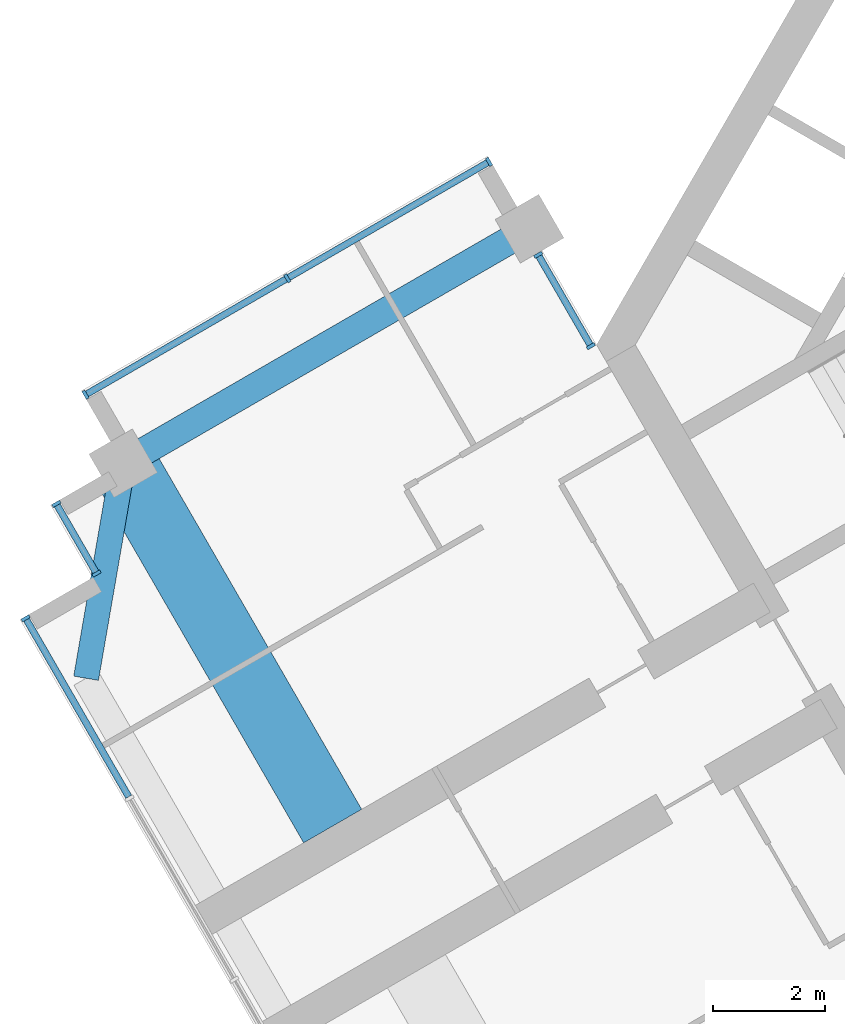
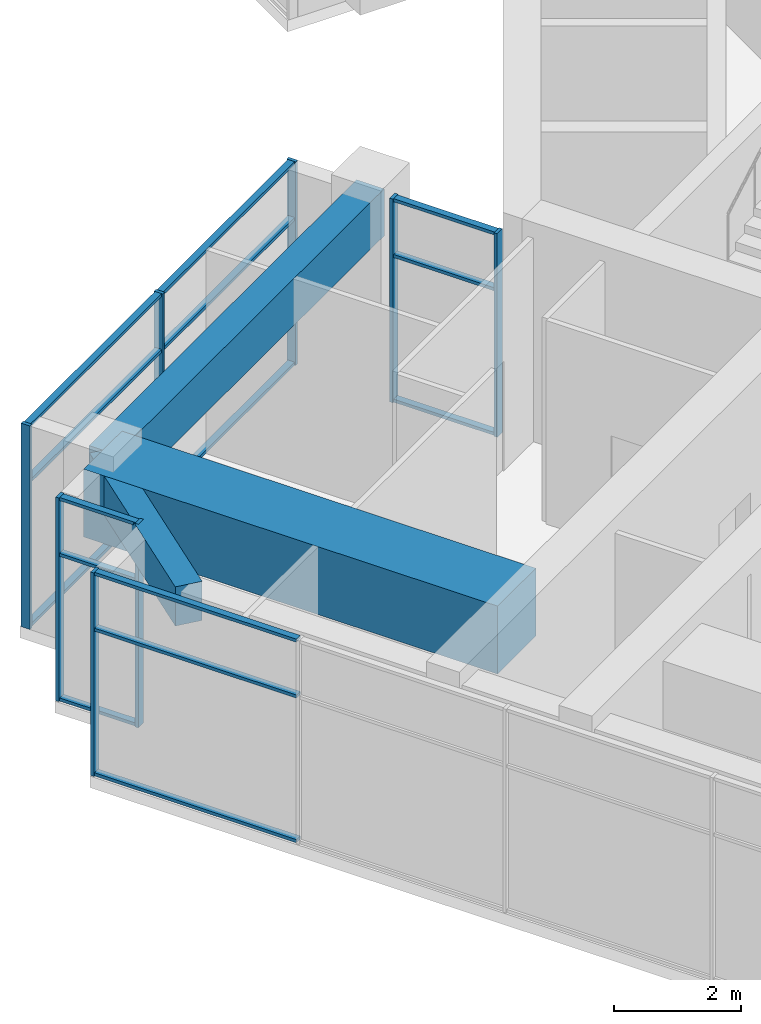
# One storey, part 3 of 14: 23 members, 3 beams, 4 elements without a shape of their own.
"""IFC4 building model written with IfcOpenShell, lengths in metres."""

from ifc_helpers import new_model, si_unit, direction, frame, origin, origin_2d, place, context, subcontext, project, spatial, rectangle, extrude, material, material_profile, profile_set, type_object, element, aggregate, save


model = new_model("IFC4")

# Units and contexts
model_context = context("Model", 3, precision=1e-05, world=origin(), true_north=direction((0.0, 1.0)))
body_context = subcontext(model_context, "Body", "Model", "MODEL_VIEW")
ifc_project = project(units=[si_unit("LENGTHUNIT", "METRE"), si_unit("AREAUNIT", "SQUARE_METRE"), si_unit("VOLUMEUNIT", "CUBIC_METRE"), si_unit("PLANEANGLEUNIT", "RADIAN"), si_unit("MASSUNIT", "GRAM", prefix="KILO")], contexts=[model_context])

# Site, building, storey
site_placement = place(None, origin())
site = spatial("IfcSite", under=ifc_project, at=site_placement, CompositionType="ELEMENT")
building_placement = place(site_placement, origin())
building = spatial("IfcBuilding", under=site, at=building_placement, Name="Impinga Residences", CompositionType="ELEMENT")
storey_placement = place(building_placement, frame((0.0, 0.0, 291.550048828125)))
storey = spatial("IfcBuildingStorey", under=building, at=storey_placement, Name="L73", CompositionType="ELEMENT", Elevation=291.550048828125)

# Beams
ifc_material_1 = material(Name="Concrete C60/75", Category="concrete")
ifc_material_profile_1 = material_profile(ifc_material_1, rectangle(XDim=0.449951171875, YDim=0.75, at=origin_2d()), Name="RC 450x750")
ifc_profile_set_1 = profile_set([ifc_material_profile_1], Name="Concrete C60/75")
beam_type_1 = type_object("IfcBeamType", Name="CB1 450x750 wing end cantilever beam", PredefinedType="BEAM", material=ifc_profile_set_1)
beam_1_placement = place(storey_placement, frame((-21.674560546875, -2.12158203125, 3.52490234375), z_axis=(-0.170296298948, -0.985392901621, 0.0), x_axis=(0.985392901621, -0.170296298948, 0.0)))
element("IfcBeam", 1, at=beam_1_placement, inside=storey, type_object=beam_type_1, Name="Beam CB1 WE W2-WX level L74", PredefinedType="BEAM", context=body_context, shape_type="SweptSolid", body=[
    extrude(rectangle(XDim=0.449951171875, YDim=0.75, at=origin_2d()), origin(), (0.0, 0.0, 1.0), 3.9052734375),
])
ifc_material_profile_2 = material_profile(ifc_material_1, rectangle(XDim=1.199951171875, YDim=1.300048828125, at=origin_2d()), Name="RC 1200x1300")
ifc_profile_set_2 = profile_set([ifc_material_profile_2], Name="Concrete C60/75")
beam_type_2 = type_object("IfcBeamType", Name="CG2 1200x1300 cross girder on a wing bay line", PredefinedType="BEAM", material=ifc_profile_set_2)
beam_2_placement = place(storey_placement, frame((-17.924560546875, -8.61669921875, 3.25), z_axis=(-0.500004234368, 0.866022959057, 0.0), x_axis=(-0.866022959057, -0.500004234368, 0.0)))
element("IfcBeam", 2, at=beam_2_placement, inside=storey, type_object=beam_type_2, Name="Beam CG2 W2 WC/WF level L74", PredefinedType="BEAM", context=body_context, shape_type="SweptSolid", body=[
    extrude(rectangle(XDim=1.199951171875, YDim=1.300048828125, at=origin_2d()), origin(), (0.0, 0.0, 1.0), 7.5),
])

# Curtain wall, member
ifc_material_2 = material(Name="Aluminium stick curtain wall", Category="aluminium")
curtain_wall_type = type_object("IfcCurtainWallType", Name="CW3 penthouse curtain wall", PredefinedType="USERDEFINED", material=ifc_material_2)
curtain_wall_1_placement = place(storey_placement, origin())
curtain_wall_1 = element("IfcCurtainWall", 3, at=curtain_wall_1_placement, inside=storey, type_object=curtain_wall_type, Name="Curtain wall CW3 L73", ObjectType="STICK CURTAIN WALL", PredefinedType="USERDEFINED")
ifc_material_3 = material(Name="Aluminium mullion", Category="aluminium")
ifc_material_profile_3 = material_profile(ifc_material_3, rectangle(XDim=0.06005859375, YDim=0.159912109375, at=origin_2d()), Name="60x160 mullion")
ifc_profile_set_3 = profile_set([ifc_material_profile_3], Name="Aluminium mullion")
member_type_1 = type_object("IfcMemberType", Name="CW3-M mullion 60x160", PredefinedType="MULLION", material=ifc_profile_set_3)
member_1_placement = place(storey_placement, frame((-23.421142578125, -4.896484375, 0.0), z_axis=(0.0, 0.0, 1.0), x_axis=(-0.500000001632, 0.866025402842, 0.0)))
member_1 = element("IfcMember", 4, at=member_1_placement, type_object=member_type_1, Name="CW3 mullion 5", PredefinedType="MULLION", context=body_context, shape_type="SweptSolid", body=[
    extrude(rectangle(XDim=0.06005859375, YDim=0.159912109375, at=origin_2d()), origin(), (0.0, 0.0, 1.0), 3.89990234375),
])

# Curtain wall, members
curtain_wall_2_placement = place(storey_placement, origin())
curtain_wall_2 = element("IfcCurtainWall", 5, at=curtain_wall_2_placement, inside=storey, type_object=curtain_wall_type, Name="Curtain wall CW3 L73", ObjectType="STICK CURTAIN WALL", PredefinedType="USERDEFINED")
member_2_placement = place(storey_placement, frame((-22.152099609375, -4.094482421875, 0.0), z_axis=(0.0, 0.0, 1.0), x_axis=(-0.500000030502, 0.866025386174, 0.0)))
member_2 = element("IfcMember", 6, at=member_2_placement, type_object=member_type_1, Name="CW3 mullion 1", PredefinedType="MULLION", context=body_context, shape_type="SweptSolid", body=[
    extrude(rectangle(XDim=0.06005859375, YDim=0.159912109375, at=origin_2d()), origin(), (0.0, 0.0, 1.0), 3.89990234375),
])
member_3_placement = place(storey_placement, frame((-22.8720703125, -2.847412109375, 0.0), z_axis=(0.0, 0.0, 1.0), x_axis=(-0.500000030502, 0.866025386174, 0.0)))
member_3 = element("IfcMember", 7, at=member_3_placement, type_object=member_type_1, Name="CW3 mullion 2", PredefinedType="MULLION", context=body_context, shape_type="SweptSolid", body=[
    extrude(rectangle(XDim=0.06005859375, YDim=0.159912109375, at=origin_2d()), origin(), (0.0, 0.0, 1.0), 3.89990234375),
])

curtain_wall_3_placement = place(storey_placement, origin())
curtain_wall_3 = element("IfcCurtainWall", 8, at=curtain_wall_3_placement, inside=storey, type_object=curtain_wall_type, Name="Curtain wall CW3 L73", ObjectType="STICK CURTAIN WALL", PredefinedType="USERDEFINED")
member_4_placement = place(storey_placement, frame((-22.3486328125, -0.89404296875, 0.0), z_axis=(0.0, 0.0, 1.0), x_axis=(0.866025392126, 0.500000020194, 0.0)))
member_4 = element("IfcMember", 9, at=member_4_placement, type_object=member_type_1, Name="CW3 mullion 1", PredefinedType="MULLION", context=body_context, shape_type="SweptSolid", body=[
    extrude(rectangle(XDim=0.06005859375, YDim=0.159912109375, at=origin_2d()), origin(), (0.0, 0.0, 1.0), 3.89990234375),
])
member_5_placement = place(storey_placement, frame((-18.7373046875, 1.19091796875, 0.0), z_axis=(0.0, 0.0, 1.0), x_axis=(0.866025392126, 0.500000020194, 0.0)))
member_5 = element("IfcMember", 10, at=member_5_placement, type_object=member_type_1, Name="CW3 mullion 2", PredefinedType="MULLION", context=body_context, shape_type="SweptSolid", body=[
    extrude(rectangle(XDim=0.06005859375, YDim=0.159912109375, at=origin_2d()), origin(), (0.0, 0.0, 1.0), 3.89990234375),
])
member_6_placement = place(storey_placement, frame((-15.1259765625, 3.27587890625, 0.0), z_axis=(0.0, 0.0, 1.0), x_axis=(0.866025392126, 0.500000020194, 0.0)))
member_6 = element("IfcMember", 11, at=member_6_placement, type_object=member_type_1, Name="CW3 mullion 3", PredefinedType="MULLION", context=body_context, shape_type="SweptSolid", body=[
    extrude(rectangle(XDim=0.06005859375, YDim=0.159912109375, at=origin_2d()), origin(), (0.0, 0.0, 1.0), 3.89990234375),
])

curtain_wall_4_placement = place(storey_placement, origin())
curtain_wall_4 = element("IfcCurtainWall", 12, at=curtain_wall_4_placement, inside=storey, type_object=curtain_wall_type, Name="Curtain wall CW3 L73", ObjectType="STICK CURTAIN WALL", PredefinedType="USERDEFINED")
member_7_placement = place(storey_placement, frame((-14.2451171875, 1.610107421875, 0.0), z_axis=(0.0, 0.0, 1.0), x_axis=(0.50000010257, -0.866025344565, 0.0)))
member_7 = element("IfcMember", 13, at=member_7_placement, type_object=member_type_1, Name="CW3 mullion 1", PredefinedType="MULLION", context=body_context, shape_type="SweptSolid", body=[
    extrude(rectangle(XDim=0.06005859375, YDim=0.159912109375, at=origin_2d()), origin(), (0.0, 0.0, 1.0), 3.89990234375),
])
member_8_placement = place(storey_placement, frame((-13.301513671875, -0.02392578125, 0.0), z_axis=(0.0, 0.0, 1.0), x_axis=(0.50000010257, -0.866025344565, 0.0)))
member_8 = element("IfcMember", 14, at=member_8_placement, type_object=member_type_1, Name="CW3 mullion 2", PredefinedType="MULLION", context=body_context, shape_type="SweptSolid", body=[
    extrude(rectangle(XDim=0.06005859375, YDim=0.159912109375, at=origin_2d()), origin(), (0.0, 0.0, 1.0), 3.89990234375),
])

# Member
ifc_material_4 = material(Name="Aluminium transom", Category="aluminium")
ifc_material_profile_4 = material_profile(ifc_material_4, rectangle(XDim=0.06005859375, YDim=0.1201171875, at=origin_2d()), Name="60x120 transom")
ifc_profile_set_4 = profile_set([ifc_material_profile_4], Name="Aluminium transom")
member_type_2 = type_object("IfcMemberType", Name="CW3-T transom 60x120", PredefinedType="USERDEFINED", material=ifc_profile_set_4)
member_9_placement = place(storey_placement, frame((-21.576171875, -8.09228515625, 0.030029296875), z_axis=(-0.499963050397, 0.866046735597, 0.0), x_axis=(0.0, 0.0, 1.0)))
member_9 = element("IfcMember", 15, at=member_9_placement, type_object=member_type_2, Name="CW3 transom 4.1", ObjectType="TRANSOM", PredefinedType="USERDEFINED", context=body_context, shape_type="SweptSolid", body=[
    extrude(rectangle(XDim=0.06005859375, YDim=0.1201171875, at=origin_2d()), origin(), (0.0, 0.0, 1.0), 3.659912109375),
])

member_10_placement = place(storey_placement, frame((-21.576171875, -8.09228515625, 2.800048828125), z_axis=(-0.499963050397, 0.866046735597, 0.0), x_axis=(0.0, 0.0, 1.0)))
member_10 = element("IfcMember", 16, at=member_10_placement, type_object=member_type_2, Name="CW3 transom 4.2", ObjectType="TRANSOM", PredefinedType="USERDEFINED", context=body_context, shape_type="SweptSolid", body=[
    extrude(rectangle(XDim=0.06005859375, YDim=0.1201171875, at=origin_2d()), origin(), (0.0, 0.0, 1.0), 3.659912109375),
])

member_11_placement = place(storey_placement, frame((-21.576171875, -8.09228515625, 3.869873046875), z_axis=(-0.499963050397, 0.866046735597, 0.0), x_axis=(0.0, 0.0, 1.0)))
member_11 = element("IfcMember", 17, at=member_11_placement, type_object=member_type_2, Name="CW3 transom 4.3", ObjectType="TRANSOM", PredefinedType="USERDEFINED", context=body_context, shape_type="SweptSolid", body=[
    extrude(rectangle(XDim=0.06005859375, YDim=0.1201171875, at=origin_2d()), origin(), (0.0, 0.0, 1.0), 3.659912109375),
])

aggregate(curtain_wall_1, [member_1, member_9, member_10, member_11])

member_12_placement = place(storey_placement, frame((-22.1669921875, -4.068603515625, 0.030029296875), z_axis=(-0.499982807329, 0.86603532975, 0.0), x_axis=(0.0, 0.0, 1.0)))
member_12 = element("IfcMember", 18, at=member_12_placement, type_object=member_type_2, Name="CW3 transom 1.1", ObjectType="TRANSOM", PredefinedType="USERDEFINED", context=body_context, shape_type="SweptSolid", body=[
    extrude(rectangle(XDim=0.06005859375, YDim=0.1201171875, at=origin_2d()), origin(), (0.0, 0.0, 1.0), 1.3798828125),
])

member_13_placement = place(storey_placement, frame((-22.1669921875, -4.068603515625, 2.800048828125), z_axis=(-0.499982807329, 0.86603532975, 0.0), x_axis=(0.0, 0.0, 1.0)))
member_13 = element("IfcMember", 19, at=member_13_placement, type_object=member_type_2, Name="CW3 transom 1.2", ObjectType="TRANSOM", PredefinedType="USERDEFINED", context=body_context, shape_type="SweptSolid", body=[
    extrude(rectangle(XDim=0.06005859375, YDim=0.1201171875, at=origin_2d()), origin(), (0.0, 0.0, 1.0), 1.3798828125),
])

member_14_placement = place(storey_placement, frame((-22.1669921875, -4.068603515625, 3.869873046875), z_axis=(-0.499982807329, 0.86603532975, 0.0), x_axis=(0.0, 0.0, 1.0)))
member_14 = element("IfcMember", 20, at=member_14_placement, type_object=member_type_2, Name="CW3 transom 1.3", ObjectType="TRANSOM", PredefinedType="USERDEFINED", context=body_context, shape_type="SweptSolid", body=[
    extrude(rectangle(XDim=0.06005859375, YDim=0.1201171875, at=origin_2d()), origin(), (0.0, 0.0, 1.0), 1.3798828125),
])

aggregate(curtain_wall_2, [member_2, member_3, member_12, member_13, member_14])

member_15_placement = place(storey_placement, frame((-22.32275390625, -0.879150390625, 0.030029296875), z_axis=(0.866045128991, 0.499965833383, 0.0), x_axis=(0.0, 0.0, 1.0)))
member_15 = element("IfcMember", 21, at=member_15_placement, type_object=member_type_2, Name="CW3 transom 1.1", ObjectType="TRANSOM", PredefinedType="USERDEFINED", context=body_context, shape_type="SweptSolid", body=[
    extrude(rectangle(XDim=0.06005859375, YDim=0.1201171875, at=origin_2d()), origin(), (0.0, 0.0, 1.0), 4.110107421875),
])

member_16_placement = place(storey_placement, frame((-22.32275390625, -0.879150390625, 2.800048828125), z_axis=(0.866045128991, 0.499965833383, 0.0), x_axis=(0.0, 0.0, 1.0)))
member_16 = element("IfcMember", 22, at=member_16_placement, type_object=member_type_2, Name="CW3 transom 1.2", ObjectType="TRANSOM", PredefinedType="USERDEFINED", context=body_context, shape_type="SweptSolid", body=[
    extrude(rectangle(XDim=0.06005859375, YDim=0.1201171875, at=origin_2d()), origin(), (0.0, 0.0, 1.0), 4.110107421875),
])

member_17_placement = place(storey_placement, frame((-22.32275390625, -0.879150390625, 3.869873046875), z_axis=(0.866045128991, 0.499965833383, 0.0), x_axis=(0.0, 0.0, 1.0)))
member_17 = element("IfcMember", 23, at=member_17_placement, type_object=member_type_2, Name="CW3 transom 1.3", ObjectType="TRANSOM", PredefinedType="USERDEFINED", context=body_context, shape_type="SweptSolid", body=[
    extrude(rectangle(XDim=0.06005859375, YDim=0.1201171875, at=origin_2d()), origin(), (0.0, 0.0, 1.0), 4.110107421875),
])

member_18_placement = place(storey_placement, frame((-18.71142578125, 1.205810546875, 0.030029296875), z_axis=(0.866019409031, 0.500010383074, 0.0), x_axis=(0.0, 0.0, 1.0)))
member_18 = element("IfcMember", 24, at=member_18_placement, type_object=member_type_2, Name="CW3 transom 2.1", ObjectType="TRANSOM", PredefinedType="USERDEFINED", context=body_context, shape_type="SweptSolid", body=[
    extrude(rectangle(XDim=0.06005859375, YDim=0.1201171875, at=origin_2d()), origin(), (0.0, 0.0, 1.0), 4.1103515625),
])

member_19_placement = place(storey_placement, frame((-18.71142578125, 1.205810546875, 2.800048828125), z_axis=(0.866019409031, 0.500010383074, 0.0), x_axis=(0.0, 0.0, 1.0)))
member_19 = element("IfcMember", 25, at=member_19_placement, type_object=member_type_2, Name="CW3 transom 2.2", ObjectType="TRANSOM", PredefinedType="USERDEFINED", context=body_context, shape_type="SweptSolid", body=[
    extrude(rectangle(XDim=0.06005859375, YDim=0.1201171875, at=origin_2d()), origin(), (0.0, 0.0, 1.0), 4.1103515625),
])

member_20_placement = place(storey_placement, frame((-18.71142578125, 1.205810546875, 3.869873046875), z_axis=(0.866019409031, 0.500010383074, 0.0), x_axis=(0.0, 0.0, 1.0)))
member_20 = element("IfcMember", 26, at=member_20_placement, type_object=member_type_2, Name="CW3 transom 2.3", ObjectType="TRANSOM", PredefinedType="USERDEFINED", context=body_context, shape_type="SweptSolid", body=[
    extrude(rectangle(XDim=0.06005859375, YDim=0.1201171875, at=origin_2d()), origin(), (0.0, 0.0, 1.0), 4.1103515625),
])

aggregate(curtain_wall_3, [member_4, member_5, member_6, member_15, member_16, member_17, member_18, member_19, member_20])

member_21_placement = place(storey_placement, frame((-14.230224609375, 1.584228515625, 0.030029296875), z_axis=(0.500019332402, -0.866014241929, 0.0), x_axis=(0.0, 0.0, 1.0)))
member_21 = element("IfcMember", 27, at=member_21_placement, type_object=member_type_2, Name="CW3 transom 1.1", ObjectType="TRANSOM", PredefinedType="USERDEFINED", context=body_context, shape_type="SweptSolid", body=[
    extrude(rectangle(XDim=0.06005859375, YDim=0.1201171875, at=origin_2d()), origin(), (0.0, 0.0, 1.0), 1.8271484375),
])

member_22_placement = place(storey_placement, frame((-14.230224609375, 1.584228515625, 2.800048828125), z_axis=(0.500019332402, -0.866014241929, 0.0), x_axis=(0.0, 0.0, 1.0)))
member_22 = element("IfcMember", 28, at=member_22_placement, type_object=member_type_2, Name="CW3 transom 1.2", ObjectType="TRANSOM", PredefinedType="USERDEFINED", context=body_context, shape_type="SweptSolid", body=[
    extrude(rectangle(XDim=0.06005859375, YDim=0.1201171875, at=origin_2d()), origin(), (0.0, 0.0, 1.0), 1.8271484375),
])

member_23_placement = place(storey_placement, frame((-14.230224609375, 1.584228515625, 3.869873046875), z_axis=(0.500019332402, -0.866014241929, 0.0), x_axis=(0.0, 0.0, 1.0)))
member_23 = element("IfcMember", 29, at=member_23_placement, type_object=member_type_2, Name="CW3 transom 1.3", ObjectType="TRANSOM", PredefinedType="USERDEFINED", context=body_context, shape_type="SweptSolid", body=[
    extrude(rectangle(XDim=0.06005859375, YDim=0.1201171875, at=origin_2d()), origin(), (0.0, 0.0, 1.0), 1.8271484375),
])

aggregate(curtain_wall_4, [member_7, member_8, member_21, member_22, member_23])

# Beam
ifc_material_profile_5 = material_profile(ifc_material_1, rectangle(XDim=0.5, YDim=0.89990234375, at=origin_2d()), Name="RC 500x900")
ifc_profile_set_5 = profile_set([ifc_material_profile_5], Name="Concrete C60/75")
beam_type_3 = type_object("IfcBeamType", Name="SB1 500x900 perimeter spandrel beam", PredefinedType="SPANDREL", material=ifc_profile_set_5)
beam_3_placement = place(storey_placement, frame((-14.39990234375, 2.078369140625, 3.449951171875), z_axis=(-0.86602925447, -0.499993330357, 0.0), x_axis=(0.499993330357, -0.86602925447, 0.0)))
element("IfcBeam", 30, at=beam_3_placement, inside=storey, type_object=beam_type_3, Name="Beam SB1 WF W1-W2 level L74", PredefinedType="SPANDREL", context=body_context, shape_type="SweptSolid", body=[
    extrude(rectangle(XDim=0.5, YDim=0.89990234375, at=origin_2d()), origin(), (0.0, 0.0, 1.0), 8.39990234375),
])

save(model, "model.ifc")
